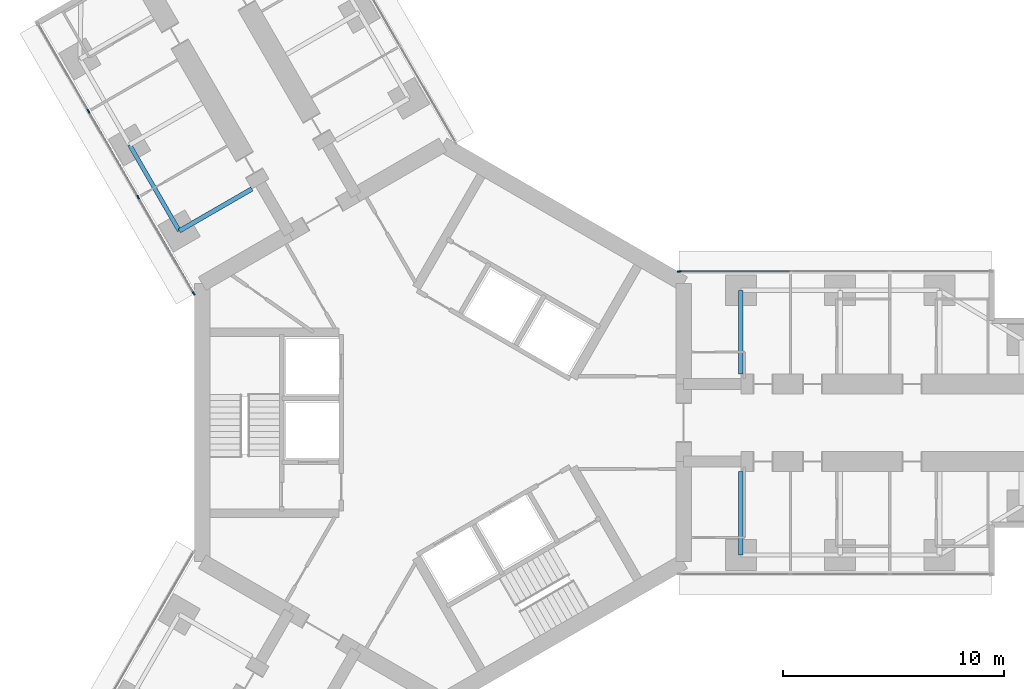
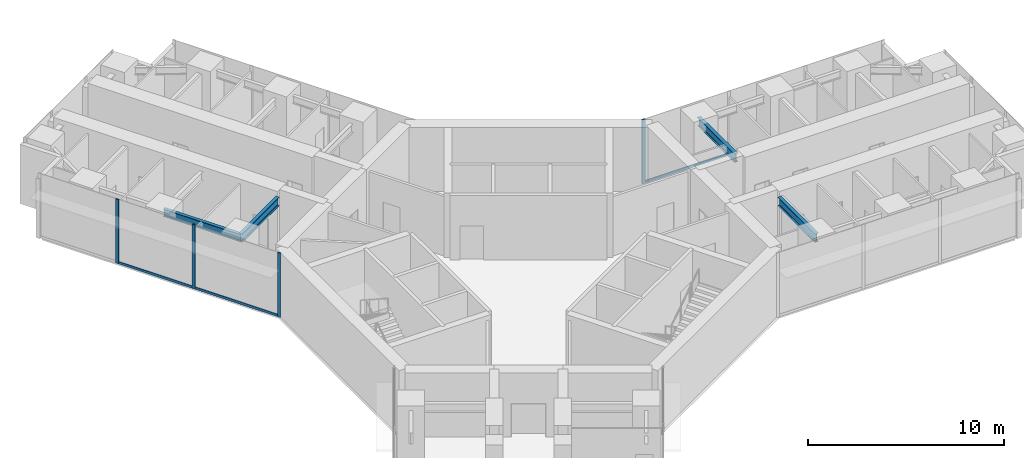
# One storey, part 6 of 25: 7 members, 4 beams, 2 elements without a shape of their own.
"""IFC4 building model written with IfcOpenShell, lengths in metres."""

from ifc_helpers import new_model, si_unit, direction, frame, origin, origin_2d, place, context, subcontext, project, spatial, rectangle, i_section, extrude, material, material_profile, profile_set, type_object, element, aggregate, save


model = new_model("IFC4")

# Units and contexts
model_context = context("Model", 3, precision=1e-05, world=origin(), true_north=direction((0.0, 1.0)))
body_context = subcontext(model_context, "Body", "Model", "MODEL_VIEW")
ifc_project = project(units=[si_unit("LENGTHUNIT", "METRE"), si_unit("AREAUNIT", "SQUARE_METRE"), si_unit("VOLUMEUNIT", "CUBIC_METRE"), si_unit("PLANEANGLEUNIT", "RADIAN"), si_unit("MASSUNIT", "GRAM", prefix="KILO")], contexts=[model_context])

# Site, building, storey
site_placement = place(None, origin())
site = spatial("IfcSite", under=ifc_project, at=site_placement, CompositionType="ELEMENT")
building_placement = place(site_placement, origin())
building = spatial("IfcBuilding", under=site, at=building_placement, Name="Upepo Twin Towers", CompositionType="ELEMENT")
storey_placement = place(building_placement, frame((0.0, 0.0, 88.5)))
storey = spatial("IfcBuildingStorey", under=building, at=storey_placement, Name="L21", CompositionType="ELEMENT", Elevation=88.5)

# Beams
ifc_material_1 = material(Name="Steel S355", Category="steel")
ifc_material_profile_1 = material_profile(ifc_material_1, i_section(OverallWidth=0.1904296875, OverallDepth=0.45703125, WebThickness=0.009033203125, FlangeThickness=0.014404296875, FilletRadius=0.01025390625, at=origin_2d()), Name="UB 457x191x74")
ifc_profile_set_1 = profile_set([ifc_material_profile_1], Name="Steel S355")
beam_type_1 = type_object("IfcBeamType", Name="Beam UB 457x191x74", PredefinedType="BEAM", material=ifc_profile_set_1)
beam_1_placement = place(storey_placement, frame((-11.946044921875, 8.69140625, 3.471435546875), z_axis=(-0.500013631625, 0.866017533419, 0.0), x_axis=(-0.866017533419, -0.500013631625, 0.0)))
element("IfcBeam", 1, at=beam_1_placement, inside=storey, type_object=beam_type_1, Name="T1 edge beam BL 13.5-18.0", PredefinedType="BEAM", context=body_context, shape_type="SweptSolid", body=[
    extrude(i_section(OverallWidth=0.1904296875, OverallDepth=0.45703125, WebThickness=0.009033203125, FlangeThickness=0.014404296875, FilletRadius=0.01025390625, at=origin_2d()), origin(), (0.0, 0.0, 1.0), 4.499755859375),
])
ifc_material_2 = material(Name="Steel S355", Category="steel")
ifc_material_profile_2 = material_profile(ifc_material_2, i_section(OverallWidth=0.209228515625, OverallDepth=0.533203125, WebThickness=0.010009765625, FlangeThickness=0.015625, FilletRadius=0.0126953125, at=origin_2d()), Name="UB 533x210x92")
ifc_profile_set_2 = profile_set([ifc_material_profile_2], Name="Steel S355")
beam_type_2 = type_object("IfcBeamType", Name="Beam UB 533x210x92", PredefinedType="BEAM", material=ifc_profile_set_2)
for number, where, z_axis, x_axis, name in (
    (2, (13.5, 6.0, 3.433349609375), (0.0, -1.0, 0.0), (1.0, 0.0, 0.0), "T1 girder AL at 13.5"),
    (3, (13.5, -6.0, 3.433349609375), (0.0, 1.0, 0.0), (-1.0, 0.0, 0.0), "T1 girder AR at 13.5"),
):
    element("IfcBeam", number, at=place(storey_placement, frame(where, z_axis=z_axis, x_axis=x_axis)), inside=storey, type_object=beam_type_2, Name=name, PredefinedType="BEAM", context=body_context, shape_type="SweptSolid", body=[
        extrude(i_section(OverallWidth=0.209228515625, OverallDepth=0.533203125, WebThickness=0.010009765625, FlangeThickness=0.015625, FilletRadius=0.0126953125, at=origin_2d()), origin(), (0.0, 0.0, 1.0), 3.800048828125),
    ])
beam_2_placement = place(storey_placement, frame((-11.946044921875, 8.69140625, 3.433349609375), z_axis=(0.866028304915, 0.499994975061, 0.0), x_axis=(-0.499994975061, 0.866028304915, 0.0)))
element("IfcBeam", 4, at=beam_2_placement, inside=storey, type_object=beam_type_2, Name="T1 girder BL at 13.5", PredefinedType="BEAM", context=body_context, shape_type="SweptSolid", body=[
    extrude(i_section(OverallWidth=0.209228515625, OverallDepth=0.533203125, WebThickness=0.010009765625, FlangeThickness=0.015625, FilletRadius=0.0126953125, at=origin_2d()), origin(), (0.0, 0.0, 1.0), 3.7998046875),
])

# Curtain wall, member
ifc_material_3 = material(Name="Aluminium and fritted glass", Category="aluminium")
curtain_wall_type = type_object("IfcCurtainWallType", Name="Tower curtain wall TW1, fritted glass", PredefinedType="NOTDEFINED", material=ifc_material_3)
curtain_wall_1_placement = place(storey_placement, origin())
curtain_wall_1 = element("IfcCurtainWall", 5, at=curtain_wall_1_placement, inside=storey, type_object=curtain_wall_type, Name="T1 L21 wing A flank L curtain wall", PredefinedType="NOTDEFINED")
ifc_material_4 = material(Name="Aluminium mullion", Category="aluminium")
ifc_material_profile_3 = material_profile(ifc_material_4, rectangle(XDim=0.06494140625, YDim=0.179931640625, at=origin_2d()), Name="MULLION 65x180")
ifc_profile_set_3 = profile_set([ifc_material_profile_3], Name="Aluminium mullion")
member_type_1 = type_object("IfcMemberType", Name="Mullion 65x180 TW1", PredefinedType="MULLION", material=ifc_profile_set_3)
member_1_placement = place(storey_placement, frame((10.7197265625, 6.85009765625, 0.0), z_axis=(0.0, 0.0, 1.0), x_axis=(0.0, 1.0, 0.0)))
member_1 = element("IfcMember", 6, at=member_1_placement, type_object=member_type_1, Name="T1 L21 wing A flank L curtain wall mullion 1", PredefinedType="MULLION", context=body_context, shape_type="SweptSolid", body=[
    extrude(rectangle(XDim=0.06494140625, YDim=0.179931640625, at=origin_2d()), origin(), (0.0, 0.0, 1.0), 4.0),
])

# Curtain wall, members
curtain_wall_2_placement = place(storey_placement, origin())
curtain_wall_2 = element("IfcCurtainWall", 7, at=curtain_wall_2_placement, inside=storey, type_object=curtain_wall_type, Name="T1 L21 wing B flank L curtain wall", PredefinedType="NOTDEFINED")
member_2_placement = place(storey_placement, frame((-11.2919921875, 5.8583984375, 0.0), z_axis=(0.0, 0.0, 1.0), x_axis=(-0.866025389682, -0.500000024426, 0.0)))
member_2 = element("IfcMember", 8, at=member_2_placement, type_object=member_type_1, Name="T1 L21 wing B flank L curtain wall mullion 1", PredefinedType="MULLION", context=body_context, shape_type="SweptSolid", body=[
    extrude(rectangle(XDim=0.06494140625, YDim=0.179931640625, at=origin_2d()), origin(), (0.0, 0.0, 1.0), 4.0),
])
member_3_placement = place(storey_placement, frame((-13.807373046875, 10.21484375, 0.0), z_axis=(0.0, 0.0, 1.0), x_axis=(-0.866025389682, -0.500000024426, 0.0)))
member_3 = element("IfcMember", 9, at=member_3_placement, type_object=member_type_1, Name="T1 L21 wing B flank L curtain wall mullion 2", PredefinedType="MULLION", context=body_context, shape_type="SweptSolid", body=[
    extrude(rectangle(XDim=0.06494140625, YDim=0.179931640625, at=origin_2d()), origin(), (0.0, 0.0, 1.0), 4.0),
])
member_4_placement = place(storey_placement, frame((-16.057373046875, 14.112060546875, 0.0), z_axis=(0.0, 0.0, 1.0), x_axis=(-0.866025389682, -0.500000024426, 0.0)))
member_4 = element("IfcMember", 10, at=member_4_placement, type_object=member_type_1, Name="T1 L21 wing B flank L curtain wall mullion 3", PredefinedType="MULLION", context=body_context, shape_type="SweptSolid", body=[
    extrude(rectangle(XDim=0.06494140625, YDim=0.179931640625, at=origin_2d()), origin(), (0.0, 0.0, 1.0), 4.0),
])

# Member
ifc_material_5 = material(Name="Aluminium transom", Category="aluminium")
ifc_material_profile_4 = material_profile(ifc_material_5, rectangle(XDim=0.06494140625, YDim=0.14990234375, at=origin_2d()), Name="TRANSOM 65x150")
ifc_profile_set_4 = profile_set([ifc_material_profile_4], Name="Aluminium transom")
member_type_2 = type_object("IfcMemberType", Name="Transom 65x150 TW1", PredefinedType="USERDEFINED", material=ifc_profile_set_4)
member_5_placement = place(storey_placement, frame((10.752197265625, 6.85009765625, 0.074951171875), z_axis=(1.0, 0.0, 0.0), x_axis=(0.0, 1.0, 0.0)))
member_5 = element("IfcMember", 11, at=member_5_placement, type_object=member_type_2, Name="T1 L21 wing A flank L curtain wall transom 1", ObjectType="TRANSOM", PredefinedType="USERDEFINED", context=body_context, shape_type="SweptSolid", body=[
    extrude(rectangle(XDim=0.06494140625, YDim=0.14990234375, at=origin_2d()), origin(), (0.0, 0.0, 1.0), 4.96533203125),
])

aggregate(curtain_wall_1, [member_1, member_5])

member_6_placement = place(storey_placement, frame((-11.308349609375, 5.88671875, 0.074951171875), z_axis=(-0.50000478328, 0.866022642139, 0.0), x_axis=(-0.866022642139, -0.50000478328, 0.0)))
member_6 = element("IfcMember", 12, at=member_6_placement, type_object=member_type_2, Name="T1 L21 wing B flank L curtain wall transom 1", ObjectType="TRANSOM", PredefinedType="USERDEFINED", context=body_context, shape_type="SweptSolid", body=[
    extrude(rectangle(XDim=0.06494140625, YDim=0.14990234375, at=origin_2d()), origin(), (0.0, 0.0, 1.0), 4.96533203125),
])

member_7_placement = place(storey_placement, frame((-13.823486328125, 10.2431640625, 0.074951171875), z_axis=(-0.500005184116, 0.866022410713, 0.0), x_axis=(-0.866022410713, -0.500005184116, 0.0)))
member_7 = element("IfcMember", 13, at=member_7_placement, type_object=member_type_2, Name="T1 L21 wing B flank L curtain wall transom 2", ObjectType="TRANSOM", PredefinedType="USERDEFINED", context=body_context, shape_type="SweptSolid", body=[
    extrude(rectangle(XDim=0.06494140625, YDim=0.14990234375, at=origin_2d()), origin(), (0.0, 0.0, 1.0), 4.43505859375),
])

aggregate(curtain_wall_2, [member_2, member_3, member_4, member_6, member_7])

save(model, "model.ifc")
